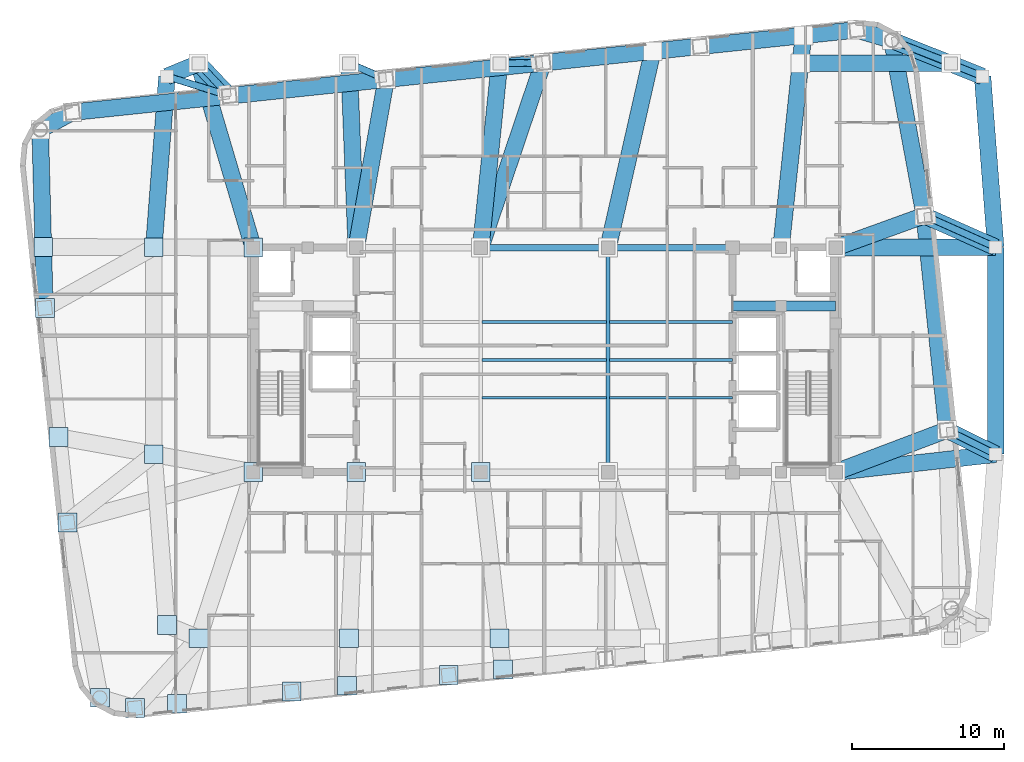
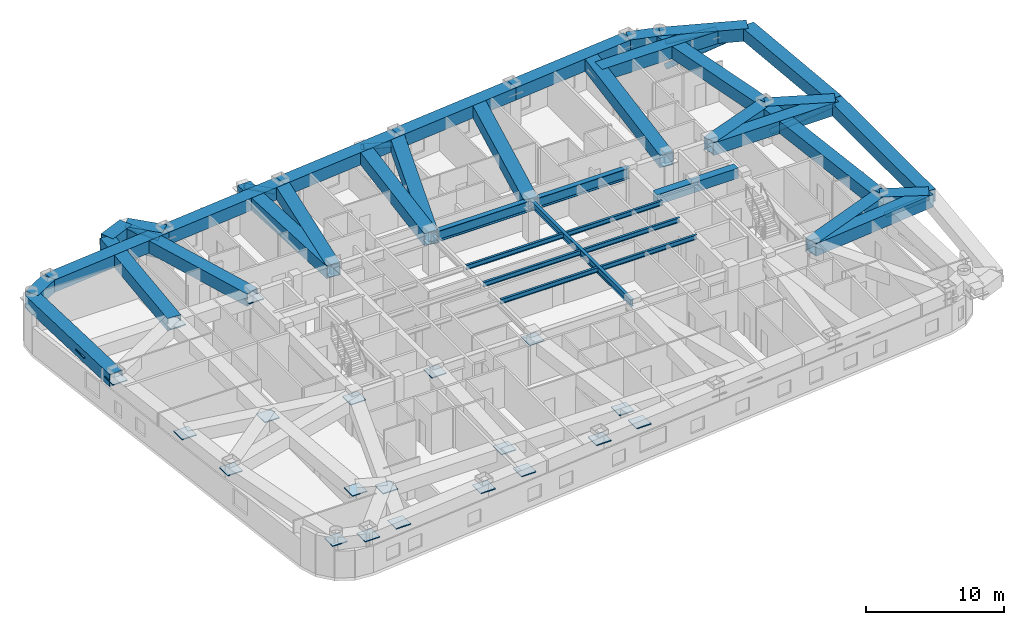
# One storey, part 2 of 13: 40 beams, 21 plates, 8 members.
"""IFC4 building model written with IfcOpenShell, lengths in metres."""

from ifc_helpers import new_model, si_unit, direction, frame, origin, origin_2d, place, context, subcontext, project, spatial, rectangle, hollow_rectangle, hollow_circle, i_section, extrude, material, layer, layer_set, material_profile, profile_set, type_object, element, save


model = new_model("IFC4")

# Units and contexts
model_context = context("Model", 3, precision=1e-05, world=origin(), true_north=direction((0.0, 1.0)))
body_context = subcontext(model_context, "Body", "Model", "MODEL_VIEW")
ifc_project = project(units=[si_unit("LENGTHUNIT", "METRE"), si_unit("AREAUNIT", "SQUARE_METRE"), si_unit("VOLUMEUNIT", "CUBIC_METRE"), si_unit("PLANEANGLEUNIT", "RADIAN"), si_unit("MASSUNIT", "GRAM", prefix="KILO")], contexts=[model_context])

# Site, building, storey
site_placement = place(None, origin())
site = spatial("IfcSite", under=ifc_project, at=site_placement, CompositionType="ELEMENT")
building_placement = place(site_placement, origin())
building = spatial("IfcBuilding", under=site, at=building_placement, Name="Voryun Gate Residences", CompositionType="ELEMENT")
storey_placement = place(building_placement, frame((0.0, 0.0, 191.10009765625)))
storey = spatial("IfcBuildingStorey", under=building, at=storey_placement, Name="L47", CompositionType="ELEMENT", Elevation=191.10009765625)

# Beams
ifc_material_1 = material(Name="Steel SM420", Category="steel")
ifc_material_profile_1 = material_profile(ifc_material_1, hollow_rectangle(XDim=1.10009765625, YDim=1.10009765625, WallThickness=0.035888671875, at=origin_2d()), Name="BOX-1100x1100x36")
ifc_profile_set_1 = profile_set([ifc_material_profile_1], Name="Steel SM420")
beam_type_1 = type_object("IfcBeamType", Name="BM_ARCH_RIB", PredefinedType="USERDEFINED", material=ifc_profile_set_1)
beam_1_placement = place(storey_placement, frame((26.533447265625, -4.6240234375, 2.949951171875), z_axis=(-0.104523913446, 0.994522373563, 0.0), x_axis=(-0.994522373563, -0.104523913446, 0.0)))
element("IfcBeam", 1, at=beam_1_placement, inside=storey, type_object=beam_type_1, Name="BM-L47-SPAND-08", ObjectType="GIRDER", PredefinedType="USERDEFINED", context=body_context, shape_type="SweptSolid", body=[
    extrude(hollow_rectangle(XDim=1.10009765625, YDim=1.10009765625, WallThickness=0.035888671875, at=origin_2d()), origin(), (0.0, 0.0, 1.0), 14.219970703125),
])
beam_2_placement = place(storey_placement, frame((25.047119140625, 9.51806640625, 2.949951171875), z_axis=(-0.182267768769, 0.983248931079, 0.0), x_axis=(-0.983248931079, -0.182267768769, 0.0)))
element("IfcBeam", 2, at=beam_2_placement, inside=storey, type_object=beam_type_1, Name="BM-L47-SPAND-09", ObjectType="GIRDER", PredefinedType="USERDEFINED", context=body_context, shape_type="SweptSolid", body=[
    extrude(hollow_rectangle(XDim=1.10009765625, YDim=1.10009765625, WallThickness=0.035888671875, at=origin_2d()), origin(), (0.0, 0.0, 1.0), 11.753662109375),
])
beam_3_placement = place(storey_placement, frame((22.90478515625, 21.074951171875, 2.949951171875), z_axis=(-0.958843048967, 0.283936625758, 0.0), x_axis=(-0.283936625758, -0.958843048967, 0.0)))
element("IfcBeam", 3, at=beam_3_placement, inside=storey, type_object=beam_type_1, Name="BM-L47-SPAND-10", ObjectType="GIRDER", PredefinedType="USERDEFINED", context=body_context, shape_type="SweptSolid", body=[
    extrude(hollow_rectangle(XDim=1.10009765625, YDim=1.10009765625, WallThickness=0.035888671875, at=origin_2d()), origin(), (0.0, 0.0, 1.0), 2.410888671875),
])
for number, where, z_axis, x_axis, name in (
    (4, (20.593017578125, 21.759521484375, 2.949951171875), (-0.994521263116, -0.104534478571, 0.0), (0.104534478571, -0.994521263116, 0.0), "BM-L47-SPAND-11"),
    (5, (10.25, 20.67236328125, 2.949951171875), (-0.99452370336, -0.10451125994, 0.0), (0.10451125994, -0.99452370336, 0.0), "BM-L47-SPAND-12"),
    (6, (-0.093017578125, 19.58544921875, 2.949951171875), (-0.994521263116, -0.104534478571, 0.0), (0.104534478571, -0.994521263116, 0.0), "BM-L47-SPAND-13"),
    (7, (-10.43603515625, 18.498291015625, 2.949951171875), (-0.994521263116, -0.104534478571, 0.0), (0.104534478571, -0.994521263116, 0.0), "BM-L47-SPAND-14"),
    (8, (-20.779052734375, 17.4111328125, 2.949951171875), (-0.994521263116, -0.104534478571, 0.0), (0.104534478571, -0.994521263116, 0.0), "BM-L47-SPAND-15"),
):
    element("IfcBeam", number, at=place(storey_placement, frame(where, z_axis=z_axis, x_axis=x_axis)), inside=storey, type_object=beam_type_1, Name=name, ObjectType="GIRDER", PredefinedType="USERDEFINED", context=body_context, shape_type="SweptSolid", body=[
        extrude(hollow_rectangle(XDim=1.10009765625, YDim=1.10009765625, WallThickness=0.035888671875, at=origin_2d()), origin(), (0.0, 0.0, 1.0), 10.39990234375),
    ])
beam_4_placement = place(storey_placement, frame((-31.1220703125, 16.323974609375, 2.949951171875), z_axis=(-0.878807326808, -0.47717678312, 0.0), x_axis=(0.47717678312, -0.878807326808, 0.0)))
element("IfcBeam", 9, at=beam_4_placement, inside=storey, type_object=beam_type_1, Name="BM-L47-SPAND-16", ObjectType="GIRDER", PredefinedType="USERDEFINED", context=body_context, shape_type="SweptSolid", body=[
    extrude(hollow_rectangle(XDim=1.10009765625, YDim=1.10009765625, WallThickness=0.035888671875, at=origin_2d()), origin(), (0.0, 0.0, 1.0), 2.410888671875),
])
beam_5_placement = place(storey_placement, frame((-33.24072265625, 15.173583984375, 2.949951171875), z_axis=(0.026130790716, -0.999658532588, 0.0), x_axis=(0.999658532588, 0.026130790716, 0.0)))
element("IfcBeam", 10, at=beam_5_placement, inside=storey, type_object=beam_type_1, Name="BM-L47-SPAND-17", ObjectType="GIRDER", PredefinedType="USERDEFINED", context=body_context, shape_type="SweptSolid", body=[
    extrude(hollow_rectangle(XDim=1.10009765625, YDim=1.10009765625, WallThickness=0.035888671875, at=origin_2d()), origin(), (0.0, 0.0, 1.0), 11.75341796875),
])
beam_6_placement = place(storey_placement, frame((19.199951171875, -7.39990234375, 2.949951171875), z_axis=(0.993824131675, 0.110966640486, 0.0), x_axis=(-0.110966640486, 0.993824131675, 0.0)))
element("IfcBeam", 11, at=beam_6_placement, inside=storey, type_object=beam_type_1, Name="BM-L47-XFERCANT-E1", ObjectType="GIRDER", PredefinedType="USERDEFINED", context=body_context, shape_type="SweptSolid", body=[
    extrude(hollow_rectangle(XDim=1.10009765625, YDim=1.10009765625, WallThickness=0.035888671875, at=origin_2d()), origin(), (0.0, 0.0, 1.0), 10.61572265625),
])
beam_7_placement = place(storey_placement, frame((26.533447265625, -4.6240234375, 2.949951171875), z_axis=(0.895579791821, -0.44490092884, 0.0), x_axis=(0.44490092884, 0.895579791821, 0.0)))
element("IfcBeam", 12, at=beam_7_placement, inside=storey, type_object=beam_type_1, Name="BM-L47-XFERLOW-E1", ObjectType="GIRDER", PredefinedType="USERDEFINED", context=body_context, shape_type="SweptSolid", body=[
    extrude(hollow_rectangle(XDim=1.10009765625, YDim=1.10009765625, WallThickness=0.035888671875, at=origin_2d()), origin(), (0.0, 0.0, 1.0), 3.591552734375),
])
beam_8_placement = place(storey_placement, frame((19.199951171875, 7.39990234375, 2.949951171875), z_axis=(0.99999778271, 0.002105843108, 0.0), x_axis=(-0.002105843108, 0.99999778271, 0.0)))
element("IfcBeam", 13, at=beam_8_placement, inside=storey, type_object=beam_type_1, Name="BM-L47-XFERCANT-E2", ObjectType="GIRDER", PredefinedType="USERDEFINED", context=body_context, shape_type="SweptSolid", body=[
    extrude(hollow_rectangle(XDim=1.10009765625, YDim=1.10009765625, WallThickness=0.035888671875, at=origin_2d()), origin(), (0.0, 0.0, 1.0), 10.550048828125),
])
beam_9_placement = place(storey_placement, frame((25.047119140625, 9.51806640625, 2.949951171875), z_axis=(0.913394580253, -0.40707535023, 0.0), x_axis=(0.40707535023, 0.913394580253, 0.0)))
element("IfcBeam", 14, at=beam_9_placement, inside=storey, type_object=beam_type_1, Name="BM-L47-XFERLOW-E2", ObjectType="GIRDER", PredefinedType="USERDEFINED", context=body_context, shape_type="SweptSolid", body=[
    extrude(hollow_rectangle(XDim=1.10009765625, YDim=1.10009765625, WallThickness=0.035888671875, at=origin_2d()), origin(), (0.0, 0.0, 1.0), 5.148681640625),
])
beam_10_placement = place(storey_placement, frame((22.90478515625, 21.074951171875, 2.949951171875), z_axis=(0.928667407119, -0.370913530293, 0.0), x_axis=(0.370913530293, 0.928667407119, 0.0)))
element("IfcBeam", 15, at=beam_10_placement, inside=storey, type_object=beam_type_1, Name="BM-L47-XFERLOW-CNE", ObjectType="GIRDER", PredefinedType="USERDEFINED", context=body_context, shape_type="SweptSolid", body=[
    extrude(hollow_rectangle(XDim=1.10009765625, YDim=1.10009765625, WallThickness=0.035888671875, at=origin_2d()), origin(), (0.0, 0.0, 1.0), 6.440673828125),
])
beam_11_placement = place(storey_placement, frame((15.60009765625, 7.39990234375, 2.949951171875), z_axis=(0.10475705869, 0.994497842458, 0.0), x_axis=(-0.994497842458, 0.10475705869, 0.0)))
element("IfcBeam", 16, at=beam_11_placement, inside=storey, type_object=beam_type_1, Name="BM-L47-XFERCANT-N2", ObjectType="GIRDER", PredefinedType="USERDEFINED", context=body_context, shape_type="SweptSolid", body=[
    extrude(hollow_rectangle(XDim=1.10009765625, YDim=1.10009765625, WallThickness=0.035888671875, at=origin_2d()), origin(), (0.0, 0.0, 1.0), 14.067138671875),
])
beam_12_placement = place(storey_placement, frame((4.199951171875, 7.39990234375, 2.949951171875), z_axis=(0.221509821633, 0.975158140467, 0.0), x_axis=(-0.975158140467, 0.221509821633, 0.0)))
element("IfcBeam", 17, at=beam_12_placement, inside=storey, type_object=beam_type_1, Name="BM-L47-XFERCANT-N3", ObjectType="GIRDER", PredefinedType="USERDEFINED", context=body_context, shape_type="SweptSolid", body=[
    extrude(hollow_rectangle(XDim=1.10009765625, YDim=1.10009765625, WallThickness=0.035888671875, at=origin_2d()), origin(), (0.0, 0.0, 1.0), 13.275634765625),
])
beam_13_placement = place(storey_placement, frame((-4.199951171875, 7.39990234375, 2.949951171875), z_axis=(0.101528223047, 0.994832659257, 0.0), x_axis=(-0.994832659257, 0.101528223047, 0.0)))
element("IfcBeam", 18, at=beam_13_placement, inside=storey, type_object=beam_type_1, Name="BM-L47-XFERCANT-N4", ObjectType="GIRDER", PredefinedType="USERDEFINED", context=body_context, shape_type="SweptSolid", body=[
    extrude(hollow_rectangle(XDim=1.10009765625, YDim=1.10009765625, WallThickness=0.035888671875, at=origin_2d()), origin(), (0.0, 0.0, 1.0), 12.213134765625),
])
beam_14_placement = place(storey_placement, frame((-12.39990234375, 7.39990234375, 2.949951171875), z_axis=(-0.039473300578, 0.999220625558, 0.0), x_axis=(-0.999220625558, -0.039473300578, 0.0)))
element("IfcBeam", 19, at=beam_14_placement, inside=storey, type_object=beam_type_1, Name="BM-L47-XFERCANT-N5", ObjectType="GIRDER", PredefinedType="USERDEFINED", context=body_context, shape_type="SweptSolid", body=[
    extrude(hollow_rectangle(XDim=1.10009765625, YDim=1.10009765625, WallThickness=0.035888671875, at=origin_2d()), origin(), (0.0, 0.0, 1.0), 12.15966796875),
])
beam_15_placement = place(storey_placement, frame((-19.199951171875, 7.39990234375, 2.949951171875), z_axis=(-0.284092265434, 0.958796946553, 0.0), x_axis=(-0.958796946553, -0.284092265434, 0.0)))
element("IfcBeam", 20, at=beam_15_placement, inside=storey, type_object=beam_type_1, Name="BM-L47-XFERCANT-N6", ObjectType="GIRDER", PredefinedType="USERDEFINED", context=body_context, shape_type="SweptSolid", body=[
    extrude(hollow_rectangle(XDim=1.10009765625, YDim=1.10009765625, WallThickness=0.035888671875, at=origin_2d()), origin(), (0.0, 0.0, 1.0), 12.67236328125),
])
beam_16_placement = place(storey_placement, frame((-20.779052734375, 17.4111328125, 2.949951171875), z_axis=(-0.686786739394, 0.726858978477, 0.0), x_axis=(-0.726858978477, -0.686786739394, 0.0)))
element("IfcBeam", 21, at=beam_16_placement, inside=storey, type_object=beam_type_1, Name="BM-L47-XFERLOW-N6", ObjectType="GIRDER", PredefinedType="USERDEFINED", context=body_context, shape_type="SweptSolid", body=[
    extrude(hollow_rectangle(XDim=1.10009765625, YDim=1.10009765625, WallThickness=0.035888671875, at=origin_2d()), origin(), (0.0, 0.0, 1.0), 2.942626953125),
])
beam_17_placement = place(storey_placement, frame((29.75, -6.221923828125, 2.949951171875), z_axis=(0.0, 1.0, 0.0), x_axis=(-1.0, 0.0, 0.0)))
element("IfcBeam", 22, at=beam_17_placement, inside=storey, type_object=beam_type_1, Name="BM-L47-XFERRING-08", ObjectType="GIRDER", PredefinedType="USERDEFINED", context=body_context, shape_type="SweptSolid", body=[
    extrude(hollow_rectangle(XDim=1.10009765625, YDim=1.10009765625, WallThickness=0.035888671875, at=origin_2d()), origin(), (0.0, 0.0, 1.0), 13.64404296875),
])
beam_18_placement = place(storey_placement, frame((29.75, 7.422119140625, 2.949951171875), z_axis=(-0.076481657417, 0.997070988485, 0.0), x_axis=(-0.997070988485, -0.076481657417, 0.0)))
element("IfcBeam", 23, at=beam_18_placement, inside=storey, type_object=beam_type_1, Name="BM-L47-XFERRING-09", ObjectType="GIRDER", PredefinedType="USERDEFINED", context=body_context, shape_type="SweptSolid", body=[
    extrude(hollow_rectangle(XDim=1.10009765625, YDim=1.10009765625, WallThickness=0.035888671875, at=origin_2d()), origin(), (0.0, 0.0, 1.0), 11.297119140625),
])
beam_19_placement = place(storey_placement, frame((26.800048828125, 19.550048828125, 2.949951171875), z_axis=(-1.0, 0.0, 0.0), x_axis=(0.0, -1.0, 0.0)))
element("IfcBeam", 24, at=beam_19_placement, inside=storey, type_object=beam_type_1, Name="BM-L47-XFERRING-11", ObjectType="GIRDER", PredefinedType="USERDEFINED", context=body_context, shape_type="SweptSolid", body=[
    extrude(hollow_rectangle(XDim=1.10009765625, YDim=1.10009765625, WallThickness=0.035888671875, at=origin_2d()), origin(), (0.0, 0.0, 1.0), 9.920166015625),
])
beam_20_placement = place(storey_placement, frame((-22.800048828125, 19.550048828125, 2.949951171875), z_axis=(-0.923881087602, -0.382679678022, 0.0), x_axis=(0.382679678022, -0.923881087602, 0.0)))
element("IfcBeam", 25, at=beam_20_placement, inside=storey, type_object=beam_type_1, Name="BM-L47-XFERRING-16", ObjectType="GIRDER", PredefinedType="USERDEFINED", context=body_context, shape_type="SweptSolid", body=[
    extrude(hollow_rectangle(XDim=1.10009765625, YDim=1.10009765625, WallThickness=0.035888671875, at=origin_2d()), origin(), (0.0, 0.0, 1.0), 2.2578125),
])
beam_21_placement = place(storey_placement, frame((-24.885986328125, 18.68603515625, 2.949951171875), z_axis=(-0.076481657417, -0.997070988485, 0.0), x_axis=(0.997070988485, -0.076481657417, 0.0)))
element("IfcBeam", 26, at=beam_21_placement, inside=storey, type_object=beam_type_1, Name="BM-L47-XFERRING-17", ObjectType="GIRDER", PredefinedType="USERDEFINED", context=body_context, shape_type="SweptSolid", body=[
    extrude(hollow_rectangle(XDim=1.10009765625, YDim=1.10009765625, WallThickness=0.035888671875, at=origin_2d()), origin(), (0.0, 0.0, 1.0), 11.297119140625),
])
beam_22_placement = place(storey_placement, frame((19.199951171875, -7.39990234375, 2.949951171875), z_axis=(0.93524224301, 0.354008399462, 0.0), x_axis=(-0.354008399462, 0.93524224301, 0.0)))
element("IfcBeam", 27, at=beam_22_placement, inside=storey, type_object=beam_type_1, Name="BM-L47-RAD-E1", ObjectType="GIRDER", PredefinedType="USERDEFINED", context=body_context, shape_type="SweptSolid", body=[
    extrude(hollow_rectangle(XDim=1.10009765625, YDim=1.10009765625, WallThickness=0.035888671875, at=origin_2d()), origin(), (0.0, 0.0, 1.0), 7.84130859375),
])
beam_23_placement = place(storey_placement, frame((19.199951171875, 7.39990234375, 2.949951171875), z_axis=(0.94020993833, 0.340595466595, 0.0), x_axis=(-0.340595466595, 0.94020993833, 0.0)))
element("IfcBeam", 28, at=beam_23_placement, inside=storey, type_object=beam_type_1, Name="BM-L47-RAD-E2", ObjectType="GIRDER", PredefinedType="USERDEFINED", context=body_context, shape_type="SweptSolid", body=[
    extrude(hollow_rectangle(XDim=1.10009765625, YDim=1.10009765625, WallThickness=0.035888671875, at=origin_2d()), origin(), (0.0, 0.0, 1.0), 6.218994140625),
])
beam_24_placement = place(storey_placement, frame((-4.199951171875, 7.39990234375, 2.949951171875), z_axis=(0.319381479956, 0.947626229197, 0.0), x_axis=(-0.947626229197, 0.319381479956, 0.0)))
element("IfcBeam", 29, at=beam_24_placement, inside=storey, type_object=beam_type_1, Name="BM-L47-RAD-N3", ObjectType="GIRDER", PredefinedType="USERDEFINED", context=body_context, shape_type="SweptSolid", body=[
    extrude(hollow_rectangle(XDim=1.10009765625, YDim=1.10009765625, WallThickness=0.035888671875, at=origin_2d()), origin(), (0.0, 0.0, 1.0), 12.859130859375),
])
beam_25_placement = place(storey_placement, frame((-12.39990234375, 7.39990234375, 2.949951171875), z_axis=(0.174243764839, 0.984702549207, 0.0), x_axis=(-0.984702549207, 0.174243764839, 0.0)))
element("IfcBeam", 30, at=beam_25_placement, inside=storey, type_object=beam_type_1, Name="BM-L47-RAD-N4", ObjectType="GIRDER", PredefinedType="USERDEFINED", context=body_context, shape_type="SweptSolid", body=[
    extrude(hollow_rectangle(XDim=1.10009765625, YDim=1.10009765625, WallThickness=0.035888671875, at=origin_2d()), origin(), (0.0, 0.0, 1.0), 11.270751953125),
])
ifc_material_2 = material(Name="Concrete C60/75", Category="concrete")
ifc_material_profile_2 = material_profile(ifc_material_2, rectangle(XDim=0.64990234375, YDim=0.89990234375, at=origin_2d()), Name="RC-650x900")
ifc_profile_set_2 = profile_set([ifc_material_profile_2], Name="Concrete C60/75")
beam_type_2 = type_object("IfcBeamType", Name="BM_COUP_RC900", PredefinedType="LINTEL", material=ifc_profile_set_2)
beam_26_placement = place(storey_placement, frame((12.39990234375, 3.550048828125, 3.0498046875), z_axis=(1.0, 0.0, 0.0), x_axis=(0.0, 1.0, 0.0)))
element("IfcBeam", 31, at=beam_26_placement, inside=storey, type_object=beam_type_2, Name="BM-L47-EC1", PredefinedType="LINTEL", context=body_context, shape_type="SweptSolid", body=[
    extrude(rectangle(XDim=0.64990234375, YDim=0.89990234375, at=origin_2d()), origin(), (0.0, 0.0, 1.0), 6.800048828125),
])
ifc_material_3 = material(Name="Steel SM355", Category="steel")
ifc_material_profile_3 = material_profile(ifc_material_3, i_section(OverallWidth=0.25, OverallDepth=0.60009765625, WebThickness=0.011962890625, FlangeThickness=0.02197265625, FilletRadius=0.01806640625, at=origin_2d()), Name="H-600x250x12x22")
ifc_profile_set_3 = profile_set([ifc_material_profile_3], Name="Steel SM355")
beam_type_3 = type_object("IfcBeamType", Name="BM_GIRD_600", PredefinedType="USERDEFINED", material=ifc_profile_set_3)
beam_27_placement = place(storey_placement, frame((4.199951171875, -7.39990234375, 3.199951171875), z_axis=(0.0, 1.0, 0.0), x_axis=(-1.0, 0.0, 0.0)))
element("IfcBeam", 32, at=beam_27_placement, inside=storey, type_object=beam_type_3, Name="BM-L47-SPX-E", ObjectType="GIRDER", PredefinedType="USERDEFINED", context=body_context, shape_type="SweptSolid", body=[
    extrude(i_section(OverallWidth=0.25, OverallDepth=0.60009765625, WebThickness=0.011962890625, FlangeThickness=0.02197265625, FilletRadius=0.01806640625, at=origin_2d()), origin(), (0.0, 0.0, 1.0), 14.7998046875),
])
ifc_material_4 = material(Name="Steel SM355", Category="steel")
ifc_material_profile_4 = material_profile(ifc_material_4, i_section(OverallWidth=0.18994140625, OverallDepth=0.419921875, WebThickness=0.009033203125, FlangeThickness=0.01611328125, FilletRadius=0.01806640625, at=origin_2d()), Name="H-420x190x9x16")
ifc_profile_set_4 = profile_set([ifc_material_profile_4], Name="Steel SM355")
beam_type_4 = type_object("IfcBeamType", Name="BM_SEC_420", PredefinedType="BEAM", material=ifc_profile_set_4)
beam_28_placement = place(storey_placement, frame((-4.10009765625, -2.5, 3.289794921875), z_axis=(1.0, 0.0, 0.0), x_axis=(0.0, 1.0, 0.0)))
element("IfcBeam", 33, at=beam_28_placement, inside=storey, type_object=beam_type_4, Name="BM-L47-SEC-CS2", PredefinedType="BEAM", context=body_context, shape_type="SweptSolid", body=[
    extrude(i_section(OverallWidth=0.18994140625, OverallDepth=0.419921875, WebThickness=0.009033203125, FlangeThickness=0.01611328125, FilletRadius=0.01806640625, at=origin_2d()), origin(), (0.0, 0.0, 1.0), 8.2001953125),
])
beam_29_placement = place(storey_placement, frame((4.300048828125, -2.5, 3.289794921875), z_axis=(1.0, 0.0, 0.0), x_axis=(0.0, 1.0, 0.0)))
element("IfcBeam", 34, at=beam_29_placement, inside=storey, type_object=beam_type_4, Name="BM-L47-SEC-CS3", PredefinedType="BEAM", context=body_context, shape_type="SweptSolid", body=[
    extrude(i_section(OverallWidth=0.18994140625, OverallDepth=0.419921875, WebThickness=0.009033203125, FlangeThickness=0.01611328125, FilletRadius=0.01806640625, at=origin_2d()), origin(), (0.0, 0.0, 1.0), 8.099853515625),
])
beam_30_placement = place(storey_placement, frame((-4.10009765625, 0.0, 3.289794921875), z_axis=(1.0, 0.0, 0.0), x_axis=(0.0, 1.0, 0.0)))
element("IfcBeam", 35, at=beam_30_placement, inside=storey, type_object=beam_type_4, Name="BM-L47-SEC-CM2", PredefinedType="BEAM", context=body_context, shape_type="SweptSolid", body=[
    extrude(i_section(OverallWidth=0.18994140625, OverallDepth=0.419921875, WebThickness=0.009033203125, FlangeThickness=0.01611328125, FilletRadius=0.01806640625, at=origin_2d()), origin(), (0.0, 0.0, 1.0), 8.2001953125),
])
beam_31_placement = place(storey_placement, frame((4.300048828125, 0.0, 3.289794921875), z_axis=(1.0, 0.0, 0.0), x_axis=(0.0, 1.0, 0.0)))
element("IfcBeam", 36, at=beam_31_placement, inside=storey, type_object=beam_type_4, Name="BM-L47-SEC-CM3", PredefinedType="BEAM", context=body_context, shape_type="SweptSolid", body=[
    extrude(i_section(OverallWidth=0.18994140625, OverallDepth=0.419921875, WebThickness=0.009033203125, FlangeThickness=0.01611328125, FilletRadius=0.01806640625, at=origin_2d()), origin(), (0.0, 0.0, 1.0), 8.099853515625),
])
beam_32_placement = place(storey_placement, frame((-4.10009765625, 2.5, 3.289794921875), z_axis=(1.0, 0.0, 0.0), x_axis=(0.0, 1.0, 0.0)))
element("IfcBeam", 37, at=beam_32_placement, inside=storey, type_object=beam_type_4, Name="BM-L47-SEC-CN2", PredefinedType="BEAM", context=body_context, shape_type="SweptSolid", body=[
    extrude(i_section(OverallWidth=0.18994140625, OverallDepth=0.419921875, WebThickness=0.009033203125, FlangeThickness=0.01611328125, FilletRadius=0.01806640625, at=origin_2d()), origin(), (0.0, 0.0, 1.0), 8.2001953125),
])
beam_33_placement = place(storey_placement, frame((4.300048828125, 2.5, 3.289794921875), z_axis=(1.0, 0.0, 0.0), x_axis=(0.0, 1.0, 0.0)))
element("IfcBeam", 38, at=beam_33_placement, inside=storey, type_object=beam_type_4, Name="BM-L47-SEC-CN3", PredefinedType="BEAM", context=body_context, shape_type="SweptSolid", body=[
    extrude(i_section(OverallWidth=0.18994140625, OverallDepth=0.419921875, WebThickness=0.009033203125, FlangeThickness=0.01611328125, FilletRadius=0.01806640625, at=origin_2d()), origin(), (0.0, 0.0, 1.0), 8.099853515625),
])
ifc_material_5 = material(Name="Steel SM420", Category="steel")
ifc_material_profile_5 = material_profile(ifc_material_5, i_section(OverallWidth=0.419921875, OverallDepth=0.949951171875, WebThickness=0.02001953125, FlangeThickness=0.035888671875, FilletRadius=0.01806640625, at=origin_2d()), Name="H-950x420x20x36")
ifc_profile_set_5 = profile_set([ifc_material_profile_5], Name="Steel SM420")
beam_type_5 = type_object("IfcBeamType", Name="BM_XFER_950", PredefinedType="USERDEFINED", material=ifc_profile_set_5)
beam_34_placement = place(storey_placement, frame((-4.199951171875, 7.39990234375, 3.02490234375), z_axis=(1.0, 0.0, 0.0), x_axis=(0.0, 1.0, 0.0)))
element("IfcBeam", 39, at=beam_34_placement, inside=storey, type_object=beam_type_5, Name="BM-L47-SPG2-N", ObjectType="GIRDER", PredefinedType="USERDEFINED", context=body_context, shape_type="SweptSolid", body=[
    extrude(i_section(OverallWidth=0.419921875, OverallDepth=0.949951171875, WebThickness=0.02001953125, FlangeThickness=0.035888671875, FilletRadius=0.01806640625, at=origin_2d()), origin(), (0.0, 0.0, 1.0), 8.39990234375),
])
beam_35_placement = place(storey_placement, frame((4.199951171875, 7.39990234375, 3.02490234375), z_axis=(1.0, 0.0, 0.0), x_axis=(0.0, 1.0, 0.0)))
element("IfcBeam", 40, at=beam_35_placement, inside=storey, type_object=beam_type_5, Name="BM-L47-SPG3-N", ObjectType="GIRDER", PredefinedType="USERDEFINED", context=body_context, shape_type="SweptSolid", body=[
    extrude(i_section(OverallWidth=0.419921875, OverallDepth=0.949951171875, WebThickness=0.02001953125, FlangeThickness=0.035888671875, FilletRadius=0.01806640625, at=origin_2d()), origin(), (0.0, 0.0, 1.0), 8.199951171875),
])

# Members
ifc_material_6 = material(Name="Steel SM420", Category="steel")
ifc_material_profile_6 = material_profile(ifc_material_6, hollow_circle(Radius=0.22998046875, WallThickness=0.02197265625, at=origin_2d()), Name="CHS-460x22")
ifc_profile_set_6 = profile_set([ifc_material_profile_6], Name="Steel SM420")
member_type = type_object("IfcMemberType", Name="MBR_CANT_STRUT_UP", PredefinedType="STRUT", material=ifc_profile_set_6)
member_1_placement = place(storey_placement, frame((26.90966796875, -4.810791015625, 1.522705078125), z_axis=(0.816679350162, -0.405742362381, 0.410375406657), x_axis=(0.444933591695, 0.895563565014, 0.0)))
element("IfcMember", 41, at=member_1_placement, inside=storey, type_object=member_type, Name="L47 Block B4 Cantilever Strut E1", PredefinedType="STRUT", context=body_context, shape_type="SweptSolid", body=[
    extrude(hollow_circle(Radius=0.22998046875, WallThickness=0.02197265625, at=origin_2d()), origin(), (0.0, 0.0, 1.0), 3.477783203125),
])
member_2_placement = place(storey_placement, frame((25.4306640625, 9.34716796875, 0.822021484375), z_axis=(0.832946396919, -0.371228936226, 0.410352746753), x_axis=(0.407081912898, 0.91339165542, 0.0)))
element("IfcMember", 42, at=member_2_placement, inside=storey, type_object=member_type, Name="L47 Block B4 Cantilever Strut E2", PredefinedType="STRUT", context=body_context, shape_type="SweptSolid", body=[
    extrude(hollow_circle(Radius=0.22998046875, WallThickness=0.02197265625, at=origin_2d()), origin(), (0.0, 0.0, 1.0), 5.185546875),
])
member_3_placement = place(storey_placement, frame((23.294921875, 20.9189453125, 0.349853515625), z_axis=(0.85256591803, -0.340490279302, 0.396481683202), x_axis=(0.370887219492, 0.928677915328, 0.0)))
element("IfcMember", 43, at=member_3_placement, inside=storey, type_object=member_type, Name="L47 Block B4 Cantilever Strut CNE", PredefinedType="STRUT", context=body_context, shape_type="SweptSolid", body=[
    extrude(hollow_circle(Radius=0.22998046875, WallThickness=0.02197265625, at=origin_2d()), origin(), (0.0, 0.0, 1.0), 6.557861328125),
])
member_4_placement = place(storey_placement, frame((23.2958984375, 20.921630859375, 2.559814453125), z_axis=(0.915928758682, -0.358509563595, 0.180403441845), x_axis=(0.364489858292, 0.93120735779, 0.0)))
element("IfcMember", 44, at=member_4_placement, inside=storey, type_object=member_type, Name="L47 Block B4 Cantilever Strut N1", PredefinedType="STRUT", context=body_context, shape_type="SweptSolid", body=[
    extrude(hollow_circle(Radius=0.22998046875, WallThickness=0.02197265625, at=origin_2d()), origin(), (0.0, 0.0, 1.0), 3.82568359375),
])
member_5_placement = place(storey_placement, frame((-0.512939453125, 19.580078125, 2.559814453125), z_axis=(-0.962382552667, -0.011810142071, 0.271441232804), x_axis=(0.012270850979, -0.999924710274, 0.0)))
element("IfcMember", 45, at=member_5_placement, inside=storey, type_object=member_type, Name="L47 Block B4 Cantilever Strut N4", PredefinedType="STRUT", context=body_context, shape_type="SweptSolid", body=[
    extrude(hollow_circle(Radius=0.22998046875, WallThickness=0.02197265625, at=origin_2d()), origin(), (0.0, 0.0, 1.0), 2.542724609375),
])
member_6_placement = place(storey_placement, frame((-10.82177734375, 18.664306640625, 2.559814453125), z_axis=(-0.877843037255, 0.377795318999, 0.294384610477), x_axis=(-0.395312803006, -0.918546562663, 0.0)))
element("IfcMember", 46, at=member_6_placement, inside=storey, type_object=member_type, Name="L47 Block B4 Cantilever Strut N5", PredefinedType="STRUT", context=body_context, shape_type="SweptSolid", body=[
    extrude(hollow_circle(Radius=0.22998046875, WallThickness=0.02197265625, at=origin_2d()), origin(), (0.0, 0.0, 1.0), 2.344482421875),
])
member_7_placement = place(storey_placement, frame((-21.0673828125, 17.71630859375, 2.559814453125), z_axis=(-0.662448586952, 0.701092199041, 0.263877998494), x_axis=(-0.726854793323, -0.686791168714, 0.0)))
element("IfcMember", 47, at=member_7_placement, inside=storey, type_object=member_type, Name="L47 Block B4 Cantilever Strut N6", PredefinedType="STRUT", context=body_context, shape_type="SweptSolid", body=[
    extrude(hollow_circle(Radius=0.22998046875, WallThickness=0.02197265625, at=origin_2d()), origin(), (0.0, 0.0, 1.0), 2.615478515625),
])
member_8_placement = place(storey_placement, frame((-21.18017578125, 17.53564453125, 1.203857421875), z_axis=(-0.870924814608, 0.270360216512, 0.410359989069), x_axis=(-0.296472437056, -0.955041409608, 0.0)))
element("IfcMember", 48, at=member_8_placement, inside=storey, type_object=member_type, Name="L47 Block B4 Cantilever Strut CNW", PredefinedType="STRUT", context=body_context, shape_type="SweptSolid", body=[
    extrude(hollow_circle(Radius=0.22998046875, WallThickness=0.02197265625, at=origin_2d()), origin(), (0.0, 0.0, 1.0), 4.255126953125),
])

# Plates
ifc_material_7 = material(Name="Steel SM355", Category="steel")
ifc_layer = layer(ifc_material_7, 0.02490234375, Name="PLT_END_CAP_25")
ifc_layer_set = layer_set([ifc_layer], Name="Steel SM355")
plate_type = type_object("IfcPlateType", Name="PLT_END_CAP_25", PredefinedType="USERDEFINED", material=ifc_layer_set)
for number, where, z_axis, x_axis, name in (
    (49, (-26.9931640625, -22.959716796875, 2.909912109375), (0.0, 0.0, 1.0), (1.0, 0.0, 0.0), "L47 Hollow Member End-Cap Plate EC-529"),
    (50, (-16.650146484375, -21.87255859375, 2.909912109375), (0.0, 0.0, 1.0), (1.0, 0.0, 0.0), "L47 Hollow Member End-Cap Plate EC-530"),
    (51, (-6.30712890625, -20.785400390625, 2.909912109375), (0.0, 0.0, 1.0), (1.0, 0.0, 0.0), "L47 Hollow Member End-Cap Plate EC-531"),
    (52, (-32.93359375, 3.424072265625, 2.909912109375), (0.0, 0.0, 1.0), (1.0, 0.0, 0.0), "L47 Hollow Member End-Cap Plate EC-546"),
    (53, (-31.447021484375, -10.718017578125, 2.909912109375), (0.0, 0.0, 1.0), (1.0, 0.0, 0.0), "L47 Hollow Member End-Cap Plate EC-547"),
    (54, (-29.3046875, -22.27490234375, 2.909912109375), (0.0, 0.0, 1.0), (1.0, 0.0, 0.0), "L47 Hollow Member End-Cap Plate EC-548"),
    (55, (-19.199951171875, -7.39990234375, 2.909912109375), (0.0, 0.0, 1.0), (1.0, 0.0, 0.0), "L47 Hollow Member End-Cap Plate EC-549"),
    (56, (-24.219482421875, -22.66796875, 2.909912109375), (0.0, 0.0, 1.0), (1.0, 0.0, 0.0), "L47 Hollow Member End-Cap Plate EC-550"),
    (57, (-22.800048828125, -18.35009765625, 2.909912109375), (0.0, 0.0, 1.0), (1.0, 0.0, 0.0), "L47 Hollow Member End-Cap Plate EC-551"),
    (58, (-12.39990234375, -7.39990234375, 2.909912109375), (0.0, 0.0, 1.0), (1.0, 0.0, 0.0), "L47 Hollow Member End-Cap Plate EC-552"),
    (59, (-13.017578125, -21.49072265625, 2.909912109375), (0.0, 0.0, 1.0), (1.0, 0.0, 0.0), "L47 Hollow Member End-Cap Plate EC-553"),
    (60, (-4.199951171875, -7.39990234375, 2.909912109375), (0.0, 0.0, 1.0), (1.0, 0.0, 0.0), "L47 Hollow Member End-Cap Plate EC-554"),
    (61, (-2.726806640625, -20.4091796875, 2.909912109375), (0.0, 0.0, 1.0), (1.0, 0.0, 0.0), "L47 Hollow Member End-Cap Plate EC-555"),
    (62, (-19.199951171875, 7.39990234375, 2.909912109375), (0.0, 0.0, 1.0), (1.0, 0.0, 0.0), "L47 Hollow Member End-Cap Plate EC-571"),
    (63, (-33.038818359375, 7.446533203125, 2.909912109375), (0.0, 0.0, 1.0), (1.0, 0.0, 0.0), "L47 Hollow Member End-Cap Plate EC-573"),
    (64, (-25.75, 7.422119140625, 2.909912109375), (0.0, 0.0, 1.0), (1.0, 0.0, 0.0), "L47 Hollow Member End-Cap Plate EC-574"),
    (65, (-32.03857421875, -5.091064453125, 2.909912109375), (0.0, 0.0, 1.0), (1.0, 0.0, 0.0), "L47 Hollow Member End-Cap Plate EC-575"),
    (66, (-25.75, -6.221923828125, 2.909912109375), (0.0, 0.0, 1.0), (1.0, 0.0, 0.0), "L47 Hollow Member End-Cap Plate EC-576"),
    (67, (-12.8798828125, -18.35009765625, 2.909912109375), (0.0, 0.0, 1.0), (1.0, 0.0, 0.0), "L47 Hollow Member End-Cap Plate EC-577"),
    (68, (-2.9599609375, -18.35009765625, 2.909912109375), (0.0, 0.0, 1.0), (1.0, 0.0, 0.0), "L47 Hollow Member End-Cap Plate EC-578"),
    (69, (-24.885986328125, -17.486083984375, 2.909912109375), (0.0, 0.0, 1.0), (1.0, 0.0, 0.0), "L47 Hollow Member End-Cap Plate EC-582"),
):
    element("IfcPlate", number, at=place(storey_placement, frame(where, z_axis=z_axis, x_axis=x_axis)), inside=storey, type_object=plate_type, Name=name, ObjectType="BASE_PLATE", PredefinedType="USERDEFINED", context=body_context, shape_type="SweptSolid", body=[
        extrude(rectangle(XDim=1.239990234375, YDim=1.239990234375, at=origin_2d()), origin(), (0.0, 0.0, 1.0), 0.080078125),
    ])

save(model, "model.ifc")
